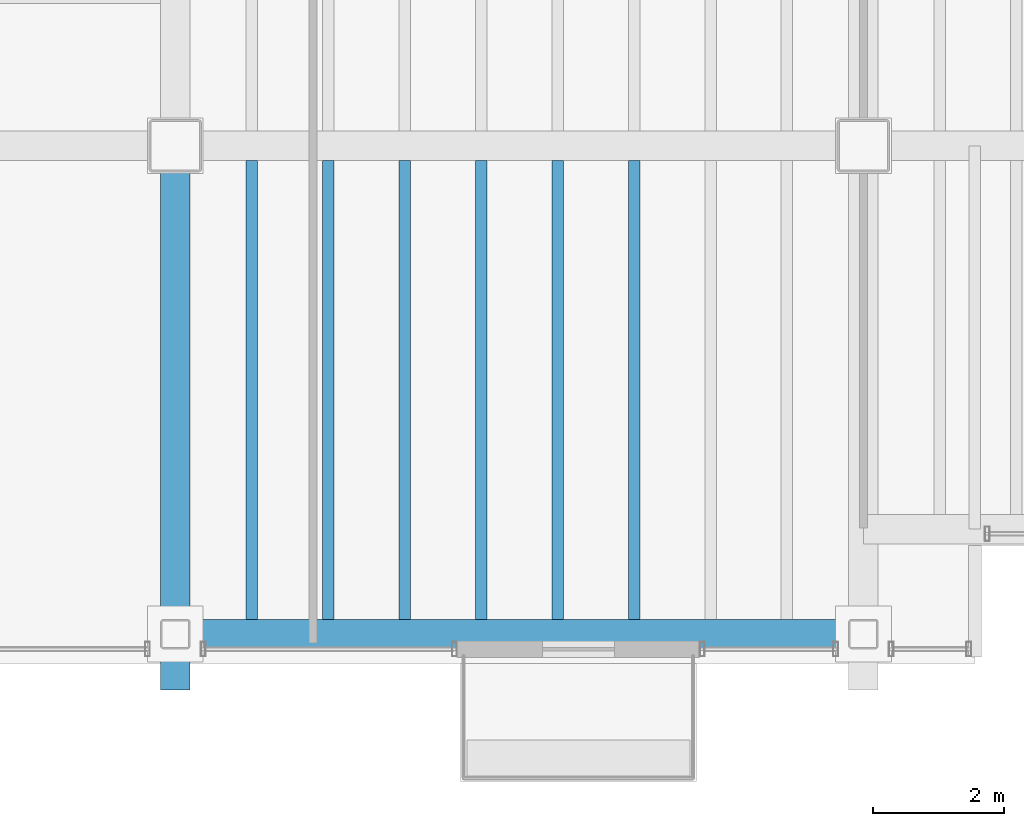
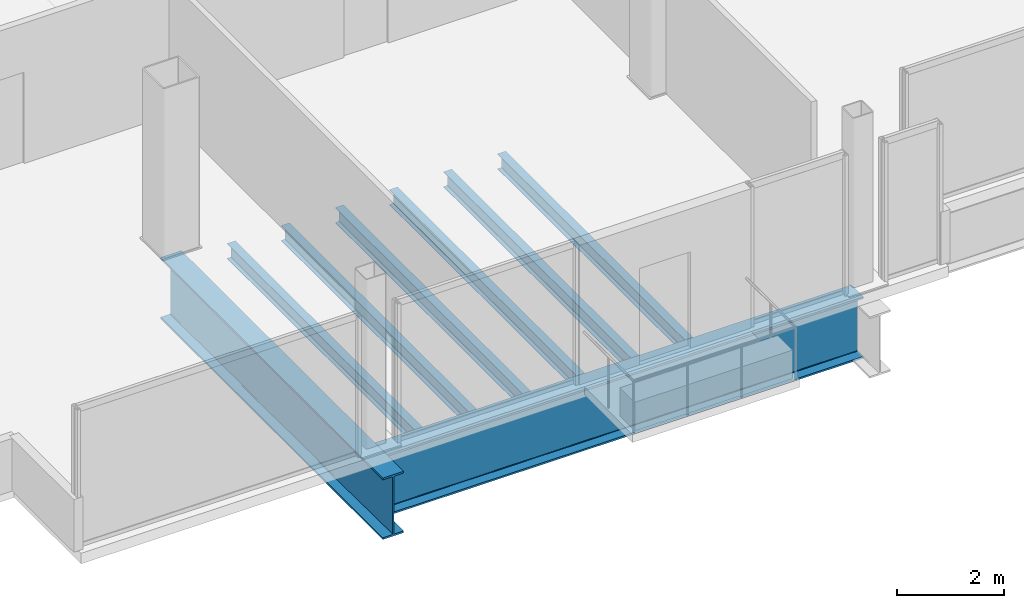
# One storey, part 3 of 22: 8 beams.
"""IFC4 building model written with IfcOpenShell, lengths in metres."""

from ifc_helpers import new_model, si_unit, direction, frame, origin, origin_2d, place, context, subcontext, project, spatial, i_section, extrude, material, material_profile, profile_set, type_object, element, save


model = new_model("IFC4")

# Units and contexts
model_context = context("Model", 3, precision=1e-05, world=origin(), true_north=direction((0.0, 1.0)))
body_context = subcontext(model_context, "Body", "Model", "MODEL_VIEW")
ifc_project = project(units=[si_unit("LENGTHUNIT", "METRE"), si_unit("AREAUNIT", "SQUARE_METRE"), si_unit("VOLUMEUNIT", "CUBIC_METRE"), si_unit("PLANEANGLEUNIT", "RADIAN"), si_unit("MASSUNIT", "GRAM", prefix="KILO")], contexts=[model_context])

# Site, building, storey
site_placement = place(None, origin())
site = spatial("IfcSite", under=ifc_project, at=site_placement, CompositionType="ELEMENT")
building_placement = place(site_placement, origin())
building = spatial("IfcBuilding", under=site, at=building_placement, Name="Noeulbin Bourse Tower", CompositionType="ELEMENT")
storey_placement = place(building_placement, frame((0.0, 0.0, 230.60009765625)))
storey = spatial("IfcBuildingStorey", under=building, at=storey_placement, Name="L57", CompositionType="ELEMENT", Elevation=230.60009765625)

# Beams
ifc_material_1 = material(Name="Steel S355", Category="steel")
ifc_material_profile_1 = material_profile(ifc_material_1, i_section(OverallWidth=0.175048828125, OverallDepth=0.35009765625, WebThickness=0.007080078125, FlangeThickness=0.010986328125, FilletRadius=0.013916015625, at=origin_2d()), Name="H-350x175x7x11", Category="LoadBearing")
ifc_profile_set_1 = profile_set([ifc_material_profile_1], Name="Steel S355")
beam_type_1 = type_object("IfcBeamType", Name="BM-JST-350", PredefinedType="JOIST", material=ifc_profile_set_1)
for number, where, z_axis, x_axis, name in (
    (1, (14.666748046875, 12.77490234375, -0.4150390625), (0.0, 1.0, 0.0), (-1.0, 0.0, 0.0), "Tower Composite Joist L57-01"),
    (2, (15.833251953125, 12.77490234375, -0.4150390625), (0.0, 1.0, 0.0), (-1.0, 0.0, 0.0), "Tower Composite Joist L57-03"),
    (3, (17.0, 12.77490234375, -0.4150390625), (0.0, 1.0, 0.0), (-1.0, 0.0, 0.0), "Tower Composite Joist L57-05"),
    (4, (18.166748046875, 12.77490234375, -0.4150390625), (0.0, 1.0, 0.0), (-1.0, 0.0, 0.0), "Tower Composite Joist L57-07"),
    (5, (19.333251953125, 12.77490234375, -0.4150390625), (0.0, 1.0, 0.0), (-1.0, 0.0, 0.0), "Tower Composite Joist L57-09"),
    (6, (20.5, 12.77490234375, -0.4150390625), (0.0, 1.0, 0.0), (-1.0, 0.0, 0.0), "Tower Composite Joist L57-11"),
):
    element("IfcBeam", number, at=place(storey_placement, frame(where, z_axis=z_axis, x_axis=x_axis)), inside=storey, type_object=beam_type_1, Name=name, PredefinedType="JOIST", context=body_context, shape_type="SweptSolid", body=[
        extrude(i_section(OverallWidth=0.175048828125, OverallDepth=0.35009765625, WebThickness=0.007080078125, FlangeThickness=0.010986328125, FilletRadius=0.013916015625, at=origin_2d()), origin(), (0.0, 0.0, 1.0), 7.0),
    ])
ifc_material_2 = material(Name="Steel S460", Category="steel")
ifc_material_profile_2 = material_profile(ifc_material_2, i_section(OverallWidth=0.449951171875, OverallDepth=1.39990234375, WebThickness=0.02392578125, FlangeThickness=0.0400390625, FilletRadius=0.02392578125, at=origin_2d()), Name="PG-1400x450x24x40", Category="LoadBearing")
ifc_profile_set_2 = profile_set([ifc_material_profile_2], Name="Steel S460")
beam_type_2 = type_object("IfcBeamType", Name="BM-TRF-1400", PredefinedType="USERDEFINED", material=ifc_profile_set_2)
beam_1_placement = place(storey_placement, frame((13.5, 11.699951171875, -0.940185546875), z_axis=(0.0, 1.0, 0.0), x_axis=(-1.0, 0.0, 0.0)))
element("IfcBeam", 7, at=beam_1_placement, inside=storey, type_object=beam_type_2, Name="Tower Primary Girder NS L57-1.1", ObjectType="GIRDER", PredefinedType="USERDEFINED", context=body_context, shape_type="SweptSolid", body=[
    extrude(i_section(OverallWidth=0.449951171875, OverallDepth=1.39990234375, WebThickness=0.02392578125, FlangeThickness=0.0400390625, FilletRadius=0.02392578125, at=origin_2d()), origin(), (0.0, 0.0, 1.0), 8.300048828125),
])
beam_2_placement = place(storey_placement, frame((13.5, 12.550048828125, -0.940185546875), z_axis=(1.0, 0.0, 0.0), x_axis=(0.0, 1.0, 0.0)))
element("IfcBeam", 8, at=beam_2_placement, inside=storey, type_object=beam_type_2, Name="South Spandrel L57-1", ObjectType="GIRDER", PredefinedType="USERDEFINED", context=body_context, shape_type="SweptSolid", body=[
    extrude(i_section(OverallWidth=0.449951171875, OverallDepth=1.39990234375, WebThickness=0.02392578125, FlangeThickness=0.0400390625, FilletRadius=0.02392578125, at=origin_2d()), origin(), (0.0, 0.0, 1.0), 10.5),
])

save(model, "model.ifc")
